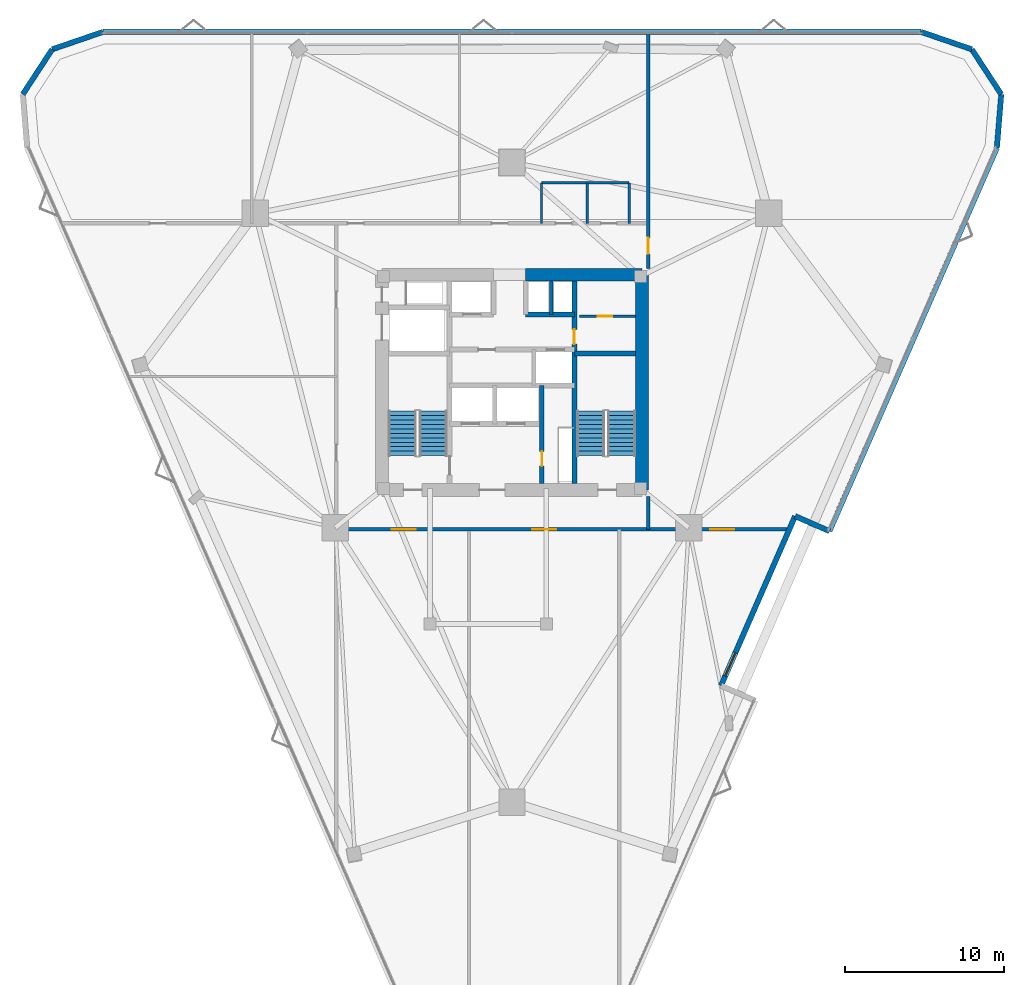
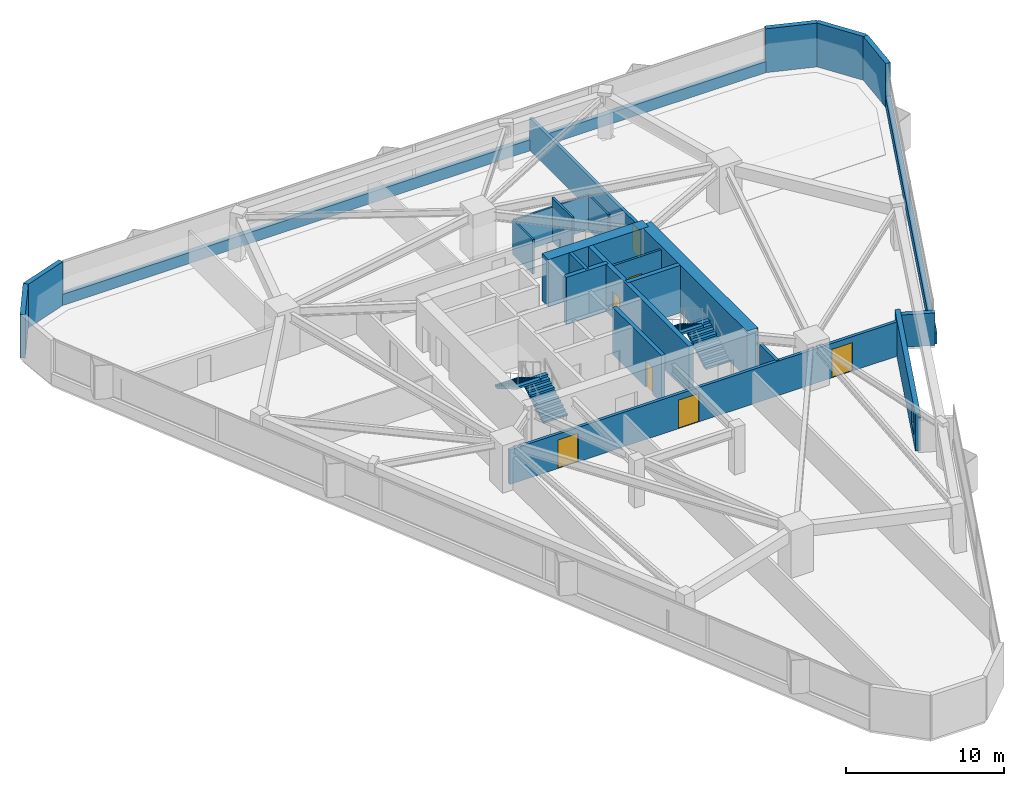
# One storey, part 12 of 15: 24 walls, 7 doors, 4 stair flights, 1 window, 8 openings, 2 elements without a shape of their own.
"""IFC4 building model written with IfcOpenShell, lengths in metres."""

import ifcopenshell
import ifcopenshell.guid

model = None  # the IFC model being written
_history = None  # IfcOwnerHistory: only IFC2X3 demands one
_inside = {}  # id of a spatial element -> (the spatial element, [elements in it])
_under = {}  # id of a project, library or spatial element -> (it, [spatial elements below it])
_declared = {}  # id of a project -> (the project, [libraries it declares])
_typed = {}  # id of a type object -> (the type object, [elements of that type])
_made_of = {}  # id of a material, layer set ... -> (it, [elements and type objects made of it])


def new_model(schema):
    """Start an empty IFC model of exactly this schema.

    Asked for "IFC4X3", IfcOpenShell would pick the latest addendum, in which some entities
    have other attributes; the version numbers below select the first issue.
    IFC2X3 requires an IfcOwnerHistory on every rooted entity: one is made here for all.
    """
    global model, _history
    if schema == "IFC4X3":
        model = ifcopenshell.file(schema_version=(4, 3, 0, 0))
    else:
        model = ifcopenshell.file(schema=schema)
    _inside.clear()
    _under.clear()
    _declared.clear()
    _typed.clear()
    _made_of.clear()
    _history = None
    if model.schema == "IFC2X3":
        org = make("IfcOrganization", Name="unknown")
        user = make(
            "IfcPersonAndOrganization",
            ThePerson=make("IfcPerson", FamilyName="unknown"),
            TheOrganization=org,
        )
        app = make(
            "IfcApplication",
            ApplicationDeveloper=org,
            Version="unknown",
            ApplicationFullName="unknown",
            ApplicationIdentifier="unknown",
        )
        _history = make(
            "IfcOwnerHistory",
            OwningUser=user,
            OwningApplication=app,
            ChangeAction="ADDED",
            CreationDate=0,
        )
    return model


def make(cls, **values):
    """One entity of the class cls with the attributes given. An attribute that is None is left unset."""
    return model.create_entity(
        cls, **{name: value for name, value in values.items() if value is not None}
    )


def rooted(cls, **values):
    """An entity with a GlobalId (a new one), such as an element, a storey or a relation."""
    return make(cls, GlobalId=ifcopenshell.guid.new(), OwnerHistory=_history, **values)


def si_unit(unit_type, name, prefix=None):
    """IfcSIUnit, for example si_unit("LENGTHUNIT", "METRE", prefix="MILLI")."""
    return make("IfcSIUnit", UnitType=unit_type, Prefix=prefix, Name=name)


def assignment(units):
    """IfcUnitAssignment: the units of a project."""
    return None if units is None else make("IfcUnitAssignment", Units=units)


def point(xyz):
    """IfcCartesianPoint."""
    return None if xyz is None else make("IfcCartesianPoint", Coordinates=xyz)


def direction(xyz):
    """IfcDirection."""
    return None if xyz is None else make("IfcDirection", DirectionRatios=xyz)


def frame(location, z_axis=None, x_axis=None):
    """IfcAxis2Placement3D, a coordinate frame: its origin and axes. An axis left out is left unset."""
    return make(
        "IfcAxis2Placement3D",
        Location=point(location),
        Axis=direction(z_axis),
        RefDirection=direction(x_axis),
    )


def frame_2d(location, x_axis=None):
    """IfcAxis2Placement2D, a coordinate frame in the plane: its origin and x axis."""
    return make(
        "IfcAxis2Placement2D", Location=point(location), RefDirection=direction(x_axis)
    )


def origin():
    """The frame at (0, 0, 0) with its axes left unset."""
    return frame((0.0, 0.0, 0.0))


def place(relative_to, where):
    """IfcLocalPlacement: puts the frame where relative to a parent placement (None: the world)."""
    return make(
        "IfcLocalPlacement", PlacementRelTo=relative_to, RelativePlacement=where
    )


def context(
    kind, dimensions, precision=None, world=None, true_north=None, identifier=None
):
    """IfcGeometricRepresentationContext, for example the 3D "Model" context."""
    return make(
        "IfcGeometricRepresentationContext",
        ContextIdentifier=identifier,
        ContextType=kind,
        CoordinateSpaceDimension=dimensions,
        Precision=precision,
        WorldCoordinateSystem=world,
        TrueNorth=true_north,
    )


def subcontext(parent, identifier, kind, view, scale=None):
    """IfcGeometricRepresentationSubContext, for example "Body" below "Model"."""
    return make(
        "IfcGeometricRepresentationSubContext",
        ContextIdentifier=identifier,
        ContextType=kind,
        ParentContext=parent,
        TargetScale=scale,
        TargetView=view,
    )


def project(units=None, contexts=None):
    """IfcProject with its units and contexts."""
    return rooted(
        "IfcProject",
        Name="project",
        RepresentationContexts=contexts,
        UnitsInContext=assignment(units),
    )


def spatial(cls, under=None, at=None, **own):
    """A site, building, storey or space (cls), placed at a placement, below another one or the project."""
    s = rooted(cls, ObjectPlacement=at, **own)
    if under is not None:
        _under.setdefault(under.id(), (under, []))[1].append(s)
    return s


def polyline(points):
    """IfcPolyline through the points."""
    return make("IfcPolyline", Points=[point(p) for p in points])


def profile(cls, at=None, kind="AREA", **sizes):
    """A parametric profile (cls). Its sizes go by their IFC names, for example OverallWidth=200.0."""
    return make(cls, ProfileType=kind, Position=at, **sizes)


def rectangle(**sizes):
    """IfcRectangleProfileDef."""
    return profile("IfcRectangleProfileDef", **sizes)


def outline(outer, holes=None, kind="AREA"):
    """IfcArbitraryClosedProfileDef: a profile drawn as a closed curve; with holes, ...WithVoids."""
    if holes is None:
        return make("IfcArbitraryClosedProfileDef", ProfileType=kind, OuterCurve=outer)
    return make(
        "IfcArbitraryProfileDefWithVoids",
        ProfileType=kind,
        OuterCurve=outer,
        InnerCurves=holes,
    )


def extrude(swept, where, along, depth):
    """IfcExtrudedAreaSolid: the profile swept, set in the frame where, extruded along a direction by depth."""
    return make(
        "IfcExtrudedAreaSolid",
        SweptArea=swept,
        Position=where,
        ExtrudedDirection=direction(along),
        Depth=depth,
    )


def shape(context_of_items, identifier, shape_type, items):
    """IfcShapeRepresentation: the items that make up one representation, for example the "Body"."""
    return make(
        "IfcShapeRepresentation",
        ContextOfItems=context_of_items,
        RepresentationIdentifier=identifier,
        RepresentationType=shape_type,
        Items=items,
    )


def material(Name=None, Category=None):
    """IfcMaterial."""
    return make("IfcMaterial", Name=Name, Category=Category)


def layer(
    of_material, thickness, ventilated=None, Name=None, Category=None, Priority=None
):
    """IfcMaterialLayer: one layer of a wall or slab, of a material (None: an air gap)."""
    return make(
        "IfcMaterialLayer",
        Material=of_material,
        LayerThickness=thickness,
        IsVentilated=ventilated,
        Name=Name,
        Category=Category,
        Priority=Priority,
    )


def layer_set(layers, Name=None):
    """IfcMaterialLayerSet."""
    return make("IfcMaterialLayerSet", MaterialLayers=layers, LayerSetName=Name)


def made_of(thing, what):
    """Note that an element or type object is made of a material, layer set ...; save() writes the relation."""
    if what is not None:
        _made_of.setdefault(what.id(), (what, []))[1].append(thing)
    return thing


def type_object(cls, material=None, **own):
    """A type object (cls), such as IfcWallType, which elements share."""
    return made_of(rooted(cls, **own), material)


def element(
    cls,
    number,
    at=None,
    inside=None,
    cuts=None,
    type_object=None,
    material=None,
    context=None,
    identifier="Body",
    shape_type=None,
    held_by="IfcProductDefinitionShape",
    body=None,
    shapes=None,
    **own,
):
    """One element of the class cls, such as IfcWall. Its Tag is "e" and its number.

    at: its placement. inside: the storey or other place that contains it. cuts: it is an
    opening in that element (IfcRelVoidsElement). A single representation is given by context,
    identifier, shape_type and body (its items); several are given by shapes. held_by: the class
    of the entity that holds the representations. save() writes the other relations.
    """
    e = rooted(cls, Tag="e%d" % number, ObjectPlacement=at, **own)
    if body is not None:
        shapes = [shape(context, identifier, shape_type, body)]
    if shapes is not None:
        e.Representation = make(held_by, Representations=shapes)
    if inside is not None:
        _inside.setdefault(inside.id(), (inside, []))[1].append(e)
    if cuts is not None:
        rooted(
            "IfcRelVoidsElement", RelatingBuildingElement=cuts, RelatedOpeningElement=e
        )
    if type_object is not None:
        _typed.setdefault(type_object.id(), (type_object, []))[1].append(e)
    return made_of(e, material)


def fill(opening, filler):
    """IfcRelFillsElement: the door or window that sits in an opening."""
    return rooted(
        "IfcRelFillsElement",
        RelatingOpeningElement=opening,
        RelatedBuildingElement=filler,
    )


def aggregate(whole, parts):
    """IfcRelAggregates: a whole, such as a stair, and the parts it consists of."""
    return rooted("IfcRelAggregates", RelatingObject=whole, RelatedObjects=parts)


def save(model, path):
    """Write the relations noted so far, then the file.

    IfcRelAggregates (storeys below a building ...), IfcRelContainedInSpatialStructure (elements
    in a storey), IfcRelDefinesByType, IfcRelAssociatesMaterial and IfcRelDeclares: one each for
    every whole, place, type object, material and project.
    """
    for whole, parts in _under.values():
        aggregate(whole, parts)
    for where, things in _inside.values():
        rooted(
            "IfcRelContainedInSpatialStructure",
            RelatedElements=things,
            RelatingStructure=where,
        )
    for kind, things in _typed.values():
        rooted("IfcRelDefinesByType", RelatedObjects=things, RelatingType=kind)
    for what, things in _made_of.values():
        rooted("IfcRelAssociatesMaterial", RelatedObjects=things, RelatingMaterial=what)
    for by, libraries in _declared.values():
        rooted("IfcRelDeclares", RelatingContext=by, RelatedDefinitions=libraries)
    model.write(path)


model = new_model("IFC4")

# Units and contexts
model_context = context("Model", 3, precision=1e-05, world=origin(), true_north=direction((0.0, 1.0)))
body_context = subcontext(model_context, "Body", "Model", "MODEL_VIEW")
ifc_project = project(units=[si_unit("LENGTHUNIT", "METRE"), si_unit("AREAUNIT", "SQUARE_METRE"), si_unit("VOLUMEUNIT", "CUBIC_METRE"), si_unit("PLANEANGLEUNIT", "RADIAN"), si_unit("MASSUNIT", "GRAM", prefix="KILO")], contexts=[model_context])

# Site, building, storey
site_placement = place(None, origin())
site = spatial("IfcSite", under=ifc_project, at=site_placement, CompositionType="ELEMENT")
building_placement = place(site_placement, origin())
building = spatial("IfcBuilding", under=site, at=building_placement, Name="Talyreon Biosciences Tower", CompositionType="ELEMENT")
storey_placement = place(building_placement, frame((0.0, 0.0, 100.550048828125)))
storey = spatial("IfcBuildingStorey", under=building, at=storey_placement, Name="L26", CompositionType="ELEMENT", Elevation=100.550048828125)

# Wall
ifc_material_1 = material(Name="Concrete C50/60", Category="concrete")
ifc_layer_1 = layer(ifc_material_1, 0.219970703125)
ifc_layer_set_1 = layer_set([ifc_layer_1], Name="Concrete C50/60")
wall_type_1 = type_object("IfcWallType", Name="CoreShearWall_220", PredefinedType="SHEAR", material=ifc_layer_set_1)
wall_1_placement = place(storey_placement, frame((68.4599609375, 72.25, 0.0), z_axis=(0.0, 0.0, 1.0), x_axis=(0.0, 1.0, 0.0)))
element("IfcWall", 1, at=wall_1_placement, inside=storey, type_object=wall_type_1, Name="L26 Core Shaft Wall SWPHD", PredefinedType="SHEAR", context=body_context, shape_type="SweptSolid", body=[
    extrude(rectangle(XDim=2.10009765625, YDim=0.219970703125, at=frame_2d((1.050048828125, 0.0))), origin(), (0.0, 0.0, 1.0), 3.64990234375),
])

# Wall, opening, door
ifc_layer_2 = layer(ifc_material_1, 0.280029296875)
ifc_layer_set_2 = layer_set([ifc_layer_2], Name="Concrete C50/60")
wall_type_2 = type_object("IfcWallType", Name="CoreShearWall_280", PredefinedType="SHEAR", material=ifc_layer_set_2)
wall_2_placement = place(storey_placement, frame((67.8798828125, 61.64990234375, 0.0), z_axis=(0.0, 0.0, 1.0), x_axis=(0.0, 1.0, 0.0)))
wall_2 = element("IfcWall", 2, at=wall_2_placement, inside=storey, type_object=wall_type_2, Name="L26 Core Shaft Wall SWFFE", PredefinedType="SHEAR", context=body_context, shape_type="SweptSolid", body=[
    extrude(rectangle(XDim=6.150146484375, YDim=0.280029296875, at=frame_2d((3.0751953125, 0.0))), origin(), (0.0, 0.0, 1.0), 3.64990234375),
])
opening_1_placement = place(wall_2_placement, frame((1.10009765625, 0.0, 0.0)))
opening_1 = element("IfcOpeningElement", 3, at=opening_1_placement, cuts=wall_2, Name="Opening DR-L26-RSE", PredefinedType="OPENING", context=body_context, shape_type="SweptSolid", body=[
    extrude(rectangle(XDim=0.919921875, YDim=2.050048828125, at=frame_2d((0.4599609375, 1.02490234375))), frame((0.0, 0.14990234375, 0.0), z_axis=(0.0, -1.0, 0.0), x_axis=(1.0, 0.0, 0.0)), (0.0, 0.0, 1.0), 0.300048828125),
])
ifc_material_2 = material(Name="Painted steel fire-rated riser door", Category="steel")
door_type_1 = type_object("IfcDoorType", Name="RiserPlantAccessDoor_920x2050", OperationType="NOTDEFINED", PredefinedType="DOOR", material=ifc_material_2)
door_1_placement = place(opening_1_placement, origin())
door_1 = element("IfcDoor", 4, at=door_1_placement, inside=storey, type_object=door_type_1, Name="L26 Core Door DR-L26-RSE", OperationType="SINGLE_SWING_RIGHT", OverallHeight=2.050048828125, OverallWidth=0.919921875, PredefinedType="DOOR", context=body_context, shape_type="SweptSolid", body=[
    extrude(rectangle(XDim=0.919921875, YDim=2.050048828125, at=frame_2d((0.4599609375, 1.02490234375))), frame((0.0, 0.02490234375, 0.0), z_axis=(0.0, -1.0, 0.0), x_axis=(1.0, 0.0, 0.0)), (0.0, 0.0, 1.0), 0.050048828125),
])
fill(opening_1, door_1)

ifc_layer_3 = layer(ifc_material_1, 0.320068359375)
ifc_layer_set_3 = layer_set([ifc_layer_3], Name="Concrete C50/60")
wall_type_3 = type_object("IfcWallType", Name="CoreShearWall_320", PredefinedType="SHEAR", material=ifc_layer_set_3)
wall_3_placement = place(storey_placement, frame((69.909912109375, 61.64990234375, 0.0), z_axis=(0.0, 0.0, 1.0), x_axis=(0.0, 1.0, 0.0)))
wall_3 = element("IfcWall", 5, at=wall_3_placement, inside=storey, type_object=wall_type_3, Name="L26 Core Shaft Wall SW2W", PredefinedType="SHEAR", context=body_context, shape_type="SweptSolid", body=[
    extrude(rectangle(XDim=12.7001953125, YDim=0.320068359375, at=frame_2d((6.35009765625, 0.0))), origin(), (0.0, 0.0, 1.0), 3.64990234375),
])
opening_2_placement = place(wall_3_placement, frame((8.75, 0.0, 0.0)))
opening_2 = element("IfcOpeningElement", 6, at=opening_2_placement, cuts=wall_3, Name="Opening DR-L26-CSRV", PredefinedType="OPENING", context=body_context, shape_type="SweptSolid", body=[
    extrude(rectangle(XDim=0.919921875, YDim=2.050048828125, at=frame_2d((0.4599609375, 1.02490234375))), frame((0.0, 0.169921875, 0.0), z_axis=(0.0, -1.0, 0.0), x_axis=(1.0, 0.0, 0.0)), (0.0, 0.0, 1.0), 0.340087890625),
])
door_2_placement = place(opening_2_placement, origin())
door_2 = element("IfcDoor", 7, at=door_2_placement, inside=storey, type_object=door_type_1, Name="L26 Core Door DR-L26-CSRV", OperationType="SINGLE_SWING_RIGHT", OverallHeight=2.050048828125, OverallWidth=0.919921875, PredefinedType="DOOR", context=body_context, shape_type="SweptSolid", body=[
    extrude(rectangle(XDim=0.919921875, YDim=2.050048828125, at=frame_2d((0.4599609375, 1.02490234375))), frame((0.0, 0.02490234375, 0.0), z_axis=(0.0, -1.0, 0.0), x_axis=(1.0, 0.0, 0.0)), (0.0, 0.0, 1.0), 0.050048828125),
])
fill(opening_2, door_2)

# Walls
wall_4_placement = place(storey_placement, frame((69.909912109375, 69.81005859375, 0.0), z_axis=(0.0, 0.0, 1.0), x_axis=(1.0, 0.0, 0.0)))
element("IfcWall", 8, at=wall_4_placement, inside=storey, type_object=wall_type_3, Name="L26 Core Shaft Wall SW2N", PredefinedType="SHEAR", context=body_context, shape_type="SweptSolid", body=[
    extrude(rectangle(XDim=3.840087890625, YDim=0.320068359375, at=frame_2d((1.919921875, 0.0))), origin(), (0.0, 0.0, 1.0), 3.64990234375),
])
wall_5_placement = place(storey_placement, frame((66.85009765625, 72.25, 0.0), z_axis=(0.0, 0.0, 1.0), x_axis=(1.0, 0.0, 0.0)))
element("IfcWall", 9, at=wall_5_placement, inside=storey, type_object=wall_type_3, Name="L26 Core Shaft Wall SWNPE", PredefinedType="SHEAR", context=body_context, shape_type="SweptSolid", body=[
    extrude(rectangle(XDim=3.059814453125, YDim=0.320068359375, at=frame_2d((1.52978515625, 0.0))), origin(), (0.0, 0.0, 1.0), 3.64990234375),
])
ifc_material_3 = material(Name="Concrete C60/75", Category="concrete")
ifc_layer_4 = layer(ifc_material_3, 0.800048828125)
ifc_layer_set_4 = layer_set([ifc_layer_4], Name="Concrete C60/75")
wall_type_4 = type_object("IfcWallType", Name="CoreShearWall_800", PredefinedType="SHEAR", material=ifc_layer_set_4)
wall_6_placement = place(storey_placement, frame((74.14990234375, 61.25, 0.0), z_axis=(0.0, 0.0, 1.0), x_axis=(0.0, 1.0, 0.0)))
element("IfcWall", 10, at=wall_6_placement, inside=storey, type_object=wall_type_4, Name="L26 Core Shear Wall E", PredefinedType="SHEAR", context=body_context, shape_type="SweptSolid", body=[
    extrude(rectangle(XDim=13.5, YDim=0.800048828125, at=frame_2d((6.75, 0.0))), origin(), (0.0, 0.0, 1.0), 3.64990234375),
])
wall_7_placement = place(storey_placement, frame((74.14990234375, 74.75, 0.0), z_axis=(0.0, 0.0, 1.0), x_axis=(-1.0, 0.0, 0.0)))
element("IfcWall", 11, at=wall_7_placement, inside=storey, type_object=wall_type_4, Name="L26 Core Shear Wall NE", PredefinedType="SHEAR", context=body_context, shape_type="SweptSolid", body=[
    extrude(rectangle(XDim=7.2998046875, YDim=0.800048828125, at=frame_2d((3.64990234375, 0.0))), origin(), (0.0, 0.0, 1.0), 3.64990234375),
])

# Wall, openings, doors
ifc_material_4 = material(Name="Gypsum fireboard acoustic stud", Category="gypsum")
ifc_layer_5 = layer(ifc_material_4, 0.219970703125)
ifc_layer_set_5 = layer_set([ifc_layer_5], Name="Gypsum fireboard acoustic stud")
wall_type_5 = type_object("IfcWallType", Name="CorridorRatedPartition_220", PredefinedType="PARTITIONING", material=ifc_layer_set_5)
wall_8_placement = place(storey_placement, frame((54.97998046875, 58.77001953125, 0.0), z_axis=(0.0, 0.0, 1.0), x_axis=(1.0, 0.0, 0.0)))
wall_8 = element("IfcWall", 12, at=wall_8_placement, inside=storey, type_object=wall_type_5, Name="L26 Interior Wall IW-L26-COR-S", PredefinedType="PARTITIONING", context=body_context, shape_type="SweptSolid", body=[
    extrude(rectangle(XDim=28.32373046875, YDim=0.219970703125, at=frame_2d((14.161865234375, 0.0))), origin(), (0.0, 0.0, 1.0), 2.655029296875),
])
opening_3_placement = place(wall_8_placement, frame((3.486083984375, 0.0, 0.0)))
opening_3 = element("IfcOpeningElement", 13, at=opening_3_placement, cuts=wall_8, Name="Opening DR-L26-S1A", PredefinedType="OPENING", context=body_context, shape_type="SweptSolid", body=[
    extrude(rectangle(XDim=1.5, YDim=2.199951171875, at=frame_2d((0.75, 1.10009765625))), frame((0.0, 0.119873046875, 0.0), z_axis=(0.0, -1.0, 0.0), x_axis=(1.0, 0.0, 0.0)), (0.0, 0.0, 1.0), 0.239990234375),
])
opening_4_placement = place(wall_8_placement, frame((12.281982421875, 0.0, 0.0)))
opening_4 = element("IfcOpeningElement", 14, at=opening_4_placement, cuts=wall_8, Name="Opening DR-L26-S2A", PredefinedType="OPENING", context=body_context, shape_type="SweptSolid", body=[
    extrude(rectangle(XDim=1.5, YDim=2.199951171875, at=frame_2d((0.75, 1.10009765625))), frame((0.0, 0.119873046875, 0.0), z_axis=(0.0, -1.0, 0.0), x_axis=(1.0, 0.0, 0.0)), (0.0, 0.0, 1.0), 0.239990234375),
])
opening_5_placement = place(wall_8_placement, frame((23.467041015625, 0.0, 0.0)))
opening_5 = element("IfcOpeningElement", 15, at=opening_5_placement, cuts=wall_8, Name="Opening DR-L26-S3A", PredefinedType="OPENING", context=body_context, shape_type="SweptSolid", body=[
    extrude(rectangle(XDim=1.5, YDim=2.199951171875, at=frame_2d((0.75, 1.10009765625))), frame((0.0, 0.119873046875, 0.0), z_axis=(0.0, -1.0, 0.0), x_axis=(1.0, 0.0, 0.0)), (0.0, 0.0, 1.0), 0.239990234375),
])
ifc_material_5 = material(Name="Vision-panel steel laboratory fire door", Category="steel")
door_type_2 = type_object("IfcDoorType", Name="WetLabDoubleLeafDoor_1500x2200", OperationType="DOUBLE_DOOR_SINGLE_SWING", PredefinedType="DOOR", material=ifc_material_5)
door_3_placement = place(opening_3_placement, origin())
door_3 = element("IfcDoor", 16, at=door_3_placement, inside=storey, type_object=door_type_2, Name="L26 Interior Door DR-L26-S1A", OperationType="DOUBLE_DOOR_SINGLE_SWING", OverallHeight=2.199951171875, OverallWidth=1.5, PredefinedType="DOOR", context=body_context, shape_type="SweptSolid", body=[
    extrude(rectangle(XDim=1.5, YDim=2.199951171875, at=frame_2d((0.75, 1.10009765625))), frame((0.0, 0.02490234375, 0.0), z_axis=(0.0, -1.0, 0.0), x_axis=(1.0, 0.0, 0.0)), (0.0, 0.0, 1.0), 0.050048828125),
])
fill(opening_3, door_3)
door_4_placement = place(opening_4_placement, origin())
door_4 = element("IfcDoor", 17, at=door_4_placement, inside=storey, type_object=door_type_2, Name="L26 Interior Door DR-L26-S2A", OperationType="DOUBLE_DOOR_SINGLE_SWING", OverallHeight=2.199951171875, OverallWidth=1.5, PredefinedType="DOOR", context=body_context, shape_type="SweptSolid", body=[
    extrude(rectangle(XDim=1.5, YDim=2.199951171875, at=frame_2d((0.75, 1.10009765625))), frame((0.0, 0.02490234375, 0.0), z_axis=(0.0, -1.0, 0.0), x_axis=(1.0, 0.0, 0.0)), (0.0, 0.0, 1.0), 0.050048828125),
])
fill(opening_4, door_4)
door_5_placement = place(opening_5_placement, origin())
door_5 = element("IfcDoor", 18, at=door_5_placement, inside=storey, type_object=door_type_2, Name="L26 Interior Door DR-L26-S3A", OperationType="DOUBLE_DOOR_SINGLE_SWING", OverallHeight=2.199951171875, OverallWidth=1.5, PredefinedType="DOOR", context=body_context, shape_type="SweptSolid", body=[
    extrude(rectangle(XDim=1.5, YDim=2.199951171875, at=frame_2d((0.75, 1.10009765625))), frame((0.0, 0.02490234375, 0.0), z_axis=(0.0, -1.0, 0.0), x_axis=(1.0, 0.0, 0.0)), (0.0, 0.0, 1.0), 0.050048828125),
])
fill(opening_5, door_5)

# Wall, opening, door
wall_9_placement = place(storey_placement, frame((74.550048828125, 75.14990234375, 0.0), z_axis=(0.0, 0.0, 1.0), x_axis=(0.0, 1.0, 0.0)))
wall_9 = element("IfcWall", 19, at=wall_9_placement, inside=storey, type_object=wall_type_5, Name="L26 Interior Wall IW-L26-ECAP-N", PredefinedType="PARTITIONING", context=body_context, shape_type="SweptSolid", body=[
    extrude(rectangle(XDim=14.751708984375, YDim=0.219970703125, at=frame_2d((7.3759765625, 0.0))), origin(), (0.0, 0.0, 1.0), 2.5048828125),
])
opening_6_placement = place(wall_9_placement, frame((0.909912109375, 0.0, 0.0)))
opening_6 = element("IfcOpeningElement", 20, at=opening_6_placement, cuts=wall_9, Name="Opening DR-L26-E1A", PredefinedType="OPENING", context=body_context, shape_type="SweptSolid", body=[
    extrude(rectangle(XDim=1.0, YDim=2.10009765625, at=frame_2d((0.5, 1.050048828125))), frame((0.0, 0.119873046875, 0.0), z_axis=(0.0, -1.0, 0.0), x_axis=(1.0, 0.0, 0.0)), (0.0, 0.0, 1.0), 0.239990234375),
])
ifc_material_6 = material(Name="Acoustic oak veneer office door", Category="wood")
door_type_3 = type_object("IfcDoorType", Name="WriteupOfficeDoor_1000x2100", OperationType="NOTDEFINED", PredefinedType="DOOR", material=ifc_material_6)
door_6_placement = place(opening_6_placement, origin())
door_6 = element("IfcDoor", 21, at=door_6_placement, inside=storey, type_object=door_type_3, Name="L26 Interior Door DR-L26-E1A", OperationType="SINGLE_SWING_LEFT", OverallHeight=2.10009765625, OverallWidth=1.0, PredefinedType="DOOR", context=body_context, shape_type="SweptSolid", body=[
    extrude(rectangle(XDim=1.0, YDim=2.10009765625, at=frame_2d((0.5, 1.050048828125))), frame((0.0, 0.02490234375, 0.0), z_axis=(0.0, -1.0, 0.0), x_axis=(1.0, 0.0, 0.0)), (0.0, 0.0, 1.0), 0.050048828125),
])
fill(opening_6, door_6)

# Wall
wall_10_placement = place(storey_placement, frame((74.550048828125, 58.77001953125, 0.0), z_axis=(0.0, 0.0, 1.0), x_axis=(0.0, 1.0, 0.0)))
element("IfcWall", 22, at=wall_10_placement, inside=storey, type_object=wall_type_5, Name="L26 Interior Wall IW-L26-ECAP-S", PredefinedType="PARTITIONING", context=body_context, shape_type="SweptSolid", body=[
    extrude(rectangle(XDim=2.080078125, YDim=0.219970703125, at=frame_2d((1.0400390625, 0.0))), origin(), (0.0, 0.0, 1.0), 2.655029296875),
])

# Wall, opening, door
ifc_material_7 = material(Name="Gypsum acoustic stud partition", Category="gypsum")
ifc_layer_6 = layer(ifc_material_7, 0.159912109375)
ifc_layer_set_6 = layer_set([ifc_layer_6], Name="Gypsum acoustic stud partition")
wall_type_6 = type_object("IfcWallType", Name="LabSeparationPartition_160", PredefinedType="PARTITIONING", material=ifc_layer_set_6)
wall_11_placement = place(storey_placement, frame((70.22998046875, 72.14990234375, 0.0), z_axis=(0.0, 0.0, 1.0), x_axis=(1.0, 0.0, 0.0)))
wall_11 = element("IfcWall", 23, at=wall_11_placement, inside=storey, type_object=wall_type_6, Name="L26 Interior Wall IW-L26-CSRV-H", PredefinedType="PARTITIONING", context=body_context, shape_type="SweptSolid", body=[
    extrude(rectangle(XDim=3.52001953125, YDim=0.159912109375, at=frame_2d((1.760009765625, 0.0))), origin(), (0.0, 0.0, 1.0), 3.375),
])
opening_7_placement = place(wall_11_placement, frame((1.14990234375, 0.0, 0.0)))
opening_7 = element("IfcOpeningElement", 24, at=opening_7_placement, cuts=wall_11, Name="Opening DR-L26-CSRV-I", PredefinedType="OPENING", context=body_context, shape_type="SweptSolid", body=[
    extrude(rectangle(XDim=0.919921875, YDim=2.050048828125, at=frame_2d((0.4599609375, 1.02490234375))), frame((0.0, 0.08984375, 0.0), z_axis=(0.0, -1.0, 0.0), x_axis=(1.0, 0.0, 0.0)), (0.0, 0.0, 1.0), 0.179931640625),
])
door_7_placement = place(opening_7_placement, origin())
door_7 = element("IfcDoor", 25, at=door_7_placement, inside=storey, type_object=door_type_1, Name="L26 Interior Door DR-L26-CSRV-I", OperationType="SINGLE_SWING_LEFT", OverallHeight=2.050048828125, OverallWidth=0.919921875, PredefinedType="DOOR", context=body_context, shape_type="SweptSolid", body=[
    extrude(rectangle(XDim=0.919921875, YDim=2.050048828125, at=frame_2d((0.4599609375, 1.02490234375))), frame((0.0, 0.02490234375, 0.0), z_axis=(0.0, -1.0, 0.0), x_axis=(1.0, 0.0, 0.0)), (0.0, 0.0, 1.0), 0.050048828125),
])
fill(opening_7, door_7)

# Walls
ifc_material_8 = material(Name="Precast concrete C45/55", Category="concrete")
ifc_layer_7 = layer(ifc_material_8, 0.340087890625)
ifc_layer_set_7 = layer_set([ifc_layer_7], Name="Precast concrete C45/55")
wall_type_7 = type_object("IfcWallType", Name="PrecastConcreteSpandrelWall_340", PredefinedType="STANDARD", material=ifc_layer_set_7)
for number, where, z_axis, x_axis, name in (
    (26, (35.306396484375, 86.068115234375, 0.0), (0.0, 0.0, 1.0), (0.547617733051, 0.836728640868, 0.0), "L26 Rounded-Corner Concrete Pier 01"),
    (27, (37.154296875, 88.8916015625, 0.0), (0.0, 0.0, 1.0), (0.945890758883, 0.324485241976, 0.0), "L26 Rounded-Corner Concrete Pier 02"),
):
    element("IfcWall", number, at=place(storey_placement, frame(where, z_axis=z_axis, x_axis=x_axis)), inside=storey, type_object=wall_type_7, Name=name, PredefinedType="STANDARD", context=body_context, shape_type="SweptSolid", body=[
        extrude(rectangle(XDim=3.37451171875, YDim=0.340087890625, at=frame_2d((1.687255859375, 0.0))), origin(), (0.0, 0.0, 1.0), 3.375),
    ])
wall_12_placement = place(storey_placement, frame((40.34619140625, 89.986572265625, 0.0), z_axis=(0.0, 0.0, 1.0), x_axis=(1.0, 0.0, 0.0)))
element("IfcWall", 28, at=wall_12_placement, inside=storey, type_object=wall_type_7, Name="L26 Expressed Concrete Sill Wall 03", PredefinedType="STANDARD", context=body_context, shape_type="SweptSolid", body=[
    extrude(rectangle(XDim=51.3076171875, YDim=0.340087890625, at=frame_2d((25.65380859375, 0.0))), origin(), (0.0, 0.0, 1.0), 0.849853515625),
])
for number, where, z_axis, x_axis, name in (
    (29, (91.65380859375, 89.986572265625, 0.0), (0.0, 0.0, 1.0), (0.945890758883, -0.324485241976, 0.0), "L26 Rounded-Corner Concrete Pier 04"),
    (30, (94.845703125, 88.8916015625, 0.0), (0.0, 0.0, 1.0), (0.547617733051, -0.836728640868, 0.0), "L26 Rounded-Corner Concrete Pier 05"),
):
    element("IfcWall", number, at=place(storey_placement, frame(where, z_axis=z_axis, x_axis=x_axis)), inside=storey, type_object=wall_type_7, Name=name, PredefinedType="STANDARD", context=body_context, shape_type="SweptSolid", body=[
        extrude(rectangle(XDim=3.37451171875, YDim=0.340087890625, at=frame_2d((1.687255859375, 0.0))), origin(), (0.0, 0.0, 1.0), 3.375),
    ])
wall_13_placement = place(storey_placement, frame((96.693603515625, 86.068115234375, 0.0), z_axis=(0.0, 0.0, 1.0), x_axis=(-0.081458806321, -0.996676709306, 0.0)))
element("IfcWall", 31, at=wall_13_placement, inside=storey, type_object=wall_type_7, Name="L26 Rounded-Corner Concrete Pier 06", PredefinedType="STANDARD", context=body_context, shape_type="SweptSolid", body=[
    extrude(rectangle(XDim=3.374755859375, YDim=0.340087890625, at=frame_2d((1.6875, 0.0))), origin(), (0.0, 0.0, 1.0), 3.375),
])
wall_14_placement = place(storey_placement, frame((96.418701171875, 82.70458984375, 0.0), z_axis=(0.0, 0.0, 1.0), x_axis=(-0.400378469744, -0.916349868208, 0.0)))
element("IfcWall", 32, at=wall_14_placement, inside=storey, type_object=wall_type_7, Name="L26 Expressed Concrete Sill Wall 07", PredefinedType="STANDARD", context=body_context, shape_type="SweptSolid", body=[
    extrude(rectangle(XDim=26.236083984375, YDim=0.340087890625, at=frame_2d((13.1181640625, 0.0))), origin(), (0.0, 0.0, 1.0), 0.849853515625),
])
wall_15_placement = place(storey_placement, frame((85.914306640625, 58.6630859375, 0.0), z_axis=(0.0, 0.0, 1.0), x_axis=(-0.916355112529, 0.400366466805, 0.0)))
element("IfcWall", 33, at=wall_15_placement, inside=storey, type_object=wall_type_7, Name="L26 Terrace Backing Concrete Wall 08", PredefinedType="STANDARD", context=body_context, shape_type="SweptSolid", body=[
    extrude(rectangle(XDim=2.35009765625, YDim=0.340087890625, at=frame_2d((1.175048828125, 0.0))), origin(), (0.0, 0.0, 1.0), 2.5048828125),
])

# Wall, opening, window
wall_16_placement = place(storey_placement, frame((83.7607421875, 59.60400390625, 0.0), z_axis=(0.0, 0.0, 1.0), x_axis=(-0.40038930263, -0.916345134946, 0.0)))
wall_16 = element("IfcWall", 34, at=wall_16_placement, inside=storey, type_object=wall_type_7, Name="L26 Terrace Backing Concrete Wall 09", PredefinedType="STANDARD", context=body_context, shape_type="SweptSolid", body=[
    extrude(rectangle(XDim=11.60009765625, YDim=0.340087890625, at=frame_2d((5.800048828125, 0.0))), origin(), (0.0, 0.0, 1.0), 2.85498046875),
])
opening_8_placement = place(wall_16_placement, frame((9.35009765625, 0.0, 0.699951171875)))
opening_8 = element("IfcOpeningElement", 35, at=opening_8_placement, cuts=wall_16, Name="Opening W06", PredefinedType="OPENING", context=body_context, shape_type="SweptSolid", body=[
    extrude(rectangle(XDim=1.60009765625, YDim=1.5, at=frame_2d((0.800048828125, 0.75))), frame((0.0, 0.179931640625, 0.0), z_axis=(0.0, -1.0, 0.0), x_axis=(1.0, 0.0, 0.0)), (0.0, 0.0, 1.0), 0.360107421875),
])
ifc_material_9 = material(Name="Thermally broken triple low-E aluminium window", Category="aluminium")
window_type = type_object("IfcWindowType", Name="CrownLouvredWindow_1600x1500", PartitioningType="SINGLE_PANEL", PredefinedType="WINDOW", material=ifc_material_9)
window_placement = place(opening_8_placement, origin())
window = element("IfcWindow", 36, at=window_placement, inside=storey, type_object=window_type, Name="L26 Sky-Garden Loggia Window 09", OverallHeight=1.5, OverallWidth=1.60009765625, PartitioningType="SINGLE_PANEL", PredefinedType="WINDOW", context=body_context, shape_type="SweptSolid", body=[
    extrude(rectangle(XDim=1.60009765625, YDim=1.5, at=frame_2d((0.800048828125, 0.75))), frame((0.0, 0.030029296875, 0.0), z_axis=(0.0, -1.0, 0.0), x_axis=(1.0, 0.0, 0.0)), (0.0, 0.0, 1.0), 0.06005859375),
])
fill(opening_8, window)

# Walls
ifc_material_10 = material(Name="Moisture-resistant cement-board stud", Category="gypsum")
ifc_layer_8 = layer(ifc_material_10, 0.14501953125)
ifc_layer_set_8 = layer_set([ifc_layer_8], Name="Moisture-resistant cement-board stud")
wall_type_8 = type_object("IfcWallType", Name="WetRoomPartition_145", PredefinedType="PARTITIONING", material=ifc_layer_set_8)
wall_17_placement = place(storey_placement, frame((67.85009765625, 77.969970703125, 0.0), z_axis=(0.0, 0.0, 1.0), x_axis=(0.0, 1.0, 0.0)))
element("IfcWall", 37, at=wall_17_placement, inside=storey, type_object=wall_type_8, Name="L26 Interior Wall IW-L26-WCL", PredefinedType="PARTITIONING", context=body_context, shape_type="SweptSolid", body=[
    extrude(rectangle(XDim=2.550048828125, YDim=0.14501953125, at=frame_2d((1.27490234375, 0.0))), origin(), (0.0, 0.0, 1.0), 2.655029296875),
])
wall_18_placement = place(storey_placement, frame((70.72509765625, 77.969970703125, 0.0), z_axis=(0.0, 0.0, 1.0), x_axis=(0.0, 1.0, 0.0)))
element("IfcWall", 38, at=wall_18_placement, inside=storey, type_object=wall_type_8, Name="L26 Interior Wall IW-L26-WCM", PredefinedType="PARTITIONING", context=body_context, shape_type="SweptSolid", body=[
    extrude(rectangle(XDim=2.550048828125, YDim=0.14501953125, at=frame_2d((1.27490234375, 0.0))), origin(), (0.0, 0.0, 1.0), 3.375),
])
wall_19_placement = place(storey_placement, frame((73.35009765625, 77.969970703125, 0.0), z_axis=(0.0, 0.0, 1.0), x_axis=(0.0, 1.0, 0.0)))
element("IfcWall", 39, at=wall_19_placement, inside=storey, type_object=wall_type_8, Name="L26 Interior Wall IW-L26-WCR", PredefinedType="PARTITIONING", context=body_context, shape_type="SweptSolid", body=[
    extrude(rectangle(XDim=2.550048828125, YDim=0.14501953125, at=frame_2d((1.27490234375, 0.0))), origin(), (0.0, 0.0, 1.0), 2.655029296875),
])
wall_20_placement = place(storey_placement, frame((67.85009765625, 80.52001953125, 0.0), z_axis=(0.0, 0.0, 1.0), x_axis=(1.0, 0.0, 0.0)))
element("IfcWall", 40, at=wall_20_placement, inside=storey, type_object=wall_type_8, Name="L26 Interior Wall IW-L26-WCT", PredefinedType="PARTITIONING", context=body_context, shape_type="SweptSolid", body=[
    extrude(rectangle(XDim=5.5, YDim=0.14501953125, at=frame_2d((2.75, 0.0))), origin(), (0.0, 0.0, 1.0), 2.655029296875),
])

# Stair, stair flights
ifc_material_11 = material(Name="Concrete C40/50", Category="concrete")
stair_type = type_object("IfcStairType", Name="DoglegEscapeStair_3650", PredefinedType="HALF_TURN_STAIR", material=ifc_material_11)
stair_1_placement = place(storey_placement, origin())
stair_1 = element("IfcStair", 41, at=stair_1_placement, inside=storey, type_object=stair_type, Name="L26 Core Escape Stair 1", PredefinedType="HALF_TURN_STAIR")
stair_flight_type = type_object("IfcStairFlightType", Name="PrecastStairFlight_3650", PredefinedType="STRAIGHT", material=ifc_material_11)
stair_flight_1_placement = place(storey_placement, frame((61.06005859375, 63.39990234375, 0.0), z_axis=(0.0, 0.0, 1.0), x_axis=(0.0, 1.0, 0.0)))
stair_flight_1 = element("IfcStairFlight", 42, at=stair_flight_1_placement, type_object=stair_flight_type, Name="ST-1 flight 1", NumberOfRisers=11, NumberOfTreads=10, PredefinedType="STRAIGHT", RiserHeight=0.165909091, TreadLength=0.28, context=body_context, shape_type="SweptSolid", body=[
    extrude(outline(polyline([(0.0, 0.0), (0.0, 0.166015625), (0.280029296875, 0.166015625), (0.280029296875, 0.331787109375), (0.56005859375, 0.331787109375), (0.56005859375, 0.497802734375), (0.840087890625, 0.497802734375), (0.840087890625, 0.66357421875), (1.1201171875, 0.66357421875), (1.1201171875, 0.82958984375), (1.39990234375, 0.82958984375), (1.39990234375, 0.995361328125), (1.679931640625, 0.995361328125), (1.679931640625, 1.161376953125), (1.9599609375, 1.161376953125), (1.9599609375, 1.327392578125), (2.239990234375, 1.327392578125), (2.239990234375, 1.4931640625), (2.52001953125, 1.4931640625), (2.52001953125, 1.6591796875), (2.800048828125, 1.6591796875), (2.800048828125, 1.824951171875), (2.800048828125, 1.48486328125), (0.2939453125, 0.0), (0.0, 0.0)])), frame((0.0, 0.8701171875, 0.0), z_axis=(0.0, -1.0, 0.0), x_axis=(1.0, 0.0, 0.0)), (0.0, 0.0, 1.0), 1.739990234375),
])
stair_flight_2_placement = place(storey_placement, frame((59.1201171875, 66.199951171875, 1.824951171875), z_axis=(0.0, 0.0, 1.0), x_axis=(0.0, -1.0, 0.0)))
stair_flight_2 = element("IfcStairFlight", 43, at=stair_flight_2_placement, type_object=stair_flight_type, Name="ST-1 flight 2", NumberOfRisers=11, NumberOfTreads=10, PredefinedType="STRAIGHT", RiserHeight=0.165909091, TreadLength=0.28, context=body_context, shape_type="SweptSolid", body=[
    extrude(outline(polyline([(0.0, 0.0), (0.0, 0.166015625), (0.280029296875, 0.166015625), (0.280029296875, 0.331787109375), (0.56005859375, 0.331787109375), (0.56005859375, 0.497802734375), (0.840087890625, 0.497802734375), (0.840087890625, 0.66357421875), (1.1201171875, 0.66357421875), (1.1201171875, 0.82958984375), (1.39990234375, 0.82958984375), (1.39990234375, 0.995361328125), (1.679931640625, 0.995361328125), (1.679931640625, 1.161376953125), (1.9599609375, 1.161376953125), (1.9599609375, 1.327392578125), (2.239990234375, 1.327392578125), (2.239990234375, 1.4931640625), (2.52001953125, 1.4931640625), (2.52001953125, 1.6591796875), (2.800048828125, 1.6591796875), (2.800048828125, 1.824951171875), (2.800048828125, 1.48486328125), (0.2939453125, 0.0), (0.0, 0.0)])), frame((0.0, 0.8701171875, 0.0), z_axis=(0.0, -1.0, 0.0), x_axis=(1.0, 0.0, 0.0)), (0.0, 0.0, 1.0), 1.739990234375),
])
aggregate(stair_1, [stair_flight_1, stair_flight_2])

stair_2_placement = place(storey_placement, origin())
stair_2 = element("IfcStair", 44, at=stair_2_placement, inside=storey, type_object=stair_type, Name="L26 Core Escape Stair 2", PredefinedType="HALF_TURN_STAIR")
stair_flight_3_placement = place(storey_placement, frame((72.8798828125, 63.39990234375, 0.0), z_axis=(0.0, 0.0, 1.0), x_axis=(0.0, 1.0, 0.0)))
stair_flight_3 = element("IfcStairFlight", 45, at=stair_flight_3_placement, type_object=stair_flight_type, Name="ST-2 flight 1", NumberOfRisers=11, NumberOfTreads=10, PredefinedType="STRAIGHT", RiserHeight=0.165909091, TreadLength=0.28, context=body_context, shape_type="SweptSolid", body=[
    extrude(outline(polyline([(0.0, 0.0), (0.0, 0.166015625), (0.280029296875, 0.166015625), (0.280029296875, 0.331787109375), (0.56005859375, 0.331787109375), (0.56005859375, 0.497802734375), (0.840087890625, 0.497802734375), (0.840087890625, 0.66357421875), (1.1201171875, 0.66357421875), (1.1201171875, 0.82958984375), (1.39990234375, 0.82958984375), (1.39990234375, 0.995361328125), (1.679931640625, 0.995361328125), (1.679931640625, 1.161376953125), (1.9599609375, 1.161376953125), (1.9599609375, 1.327392578125), (2.239990234375, 1.327392578125), (2.239990234375, 1.4931640625), (2.52001953125, 1.4931640625), (2.52001953125, 1.6591796875), (2.800048828125, 1.6591796875), (2.800048828125, 1.824951171875), (2.800048828125, 1.48486328125), (0.2939453125, 0.0), (0.0, 0.0)])), frame((0.0, 0.8701171875, 0.0), z_axis=(0.0, -1.0, 0.0), x_axis=(1.0, 0.0, 0.0)), (0.0, 0.0, 1.0), 1.739990234375),
])
stair_flight_4_placement = place(storey_placement, frame((70.93994140625, 66.199951171875, 1.824951171875), z_axis=(0.0, 0.0, 1.0), x_axis=(0.0, -1.0, 0.0)))
stair_flight_4 = element("IfcStairFlight", 46, at=stair_flight_4_placement, type_object=stair_flight_type, Name="ST-2 flight 2", NumberOfRisers=11, NumberOfTreads=10, PredefinedType="STRAIGHT", RiserHeight=0.165909091, TreadLength=0.28, context=body_context, shape_type="SweptSolid", body=[
    extrude(outline(polyline([(0.0, 0.0), (0.0, 0.166015625), (0.280029296875, 0.166015625), (0.280029296875, 0.331787109375), (0.56005859375, 0.331787109375), (0.56005859375, 0.497802734375), (0.840087890625, 0.497802734375), (0.840087890625, 0.66357421875), (1.1201171875, 0.66357421875), (1.1201171875, 0.82958984375), (1.39990234375, 0.82958984375), (1.39990234375, 0.995361328125), (1.679931640625, 0.995361328125), (1.679931640625, 1.161376953125), (1.9599609375, 1.161376953125), (1.9599609375, 1.327392578125), (2.239990234375, 1.327392578125), (2.239990234375, 1.4931640625), (2.52001953125, 1.4931640625), (2.52001953125, 1.6591796875), (2.800048828125, 1.6591796875), (2.800048828125, 1.824951171875), (2.800048828125, 1.48486328125), (0.2939453125, 0.0), (0.0, 0.0)])), frame((0.0, 0.8701171875, 0.0), z_axis=(0.0, -1.0, 0.0), x_axis=(1.0, 0.0, 0.0)), (0.0, 0.0, 1.0), 1.739990234375),
])
aggregate(stair_2, [stair_flight_3, stair_flight_4])

save(model, "model.ifc")
